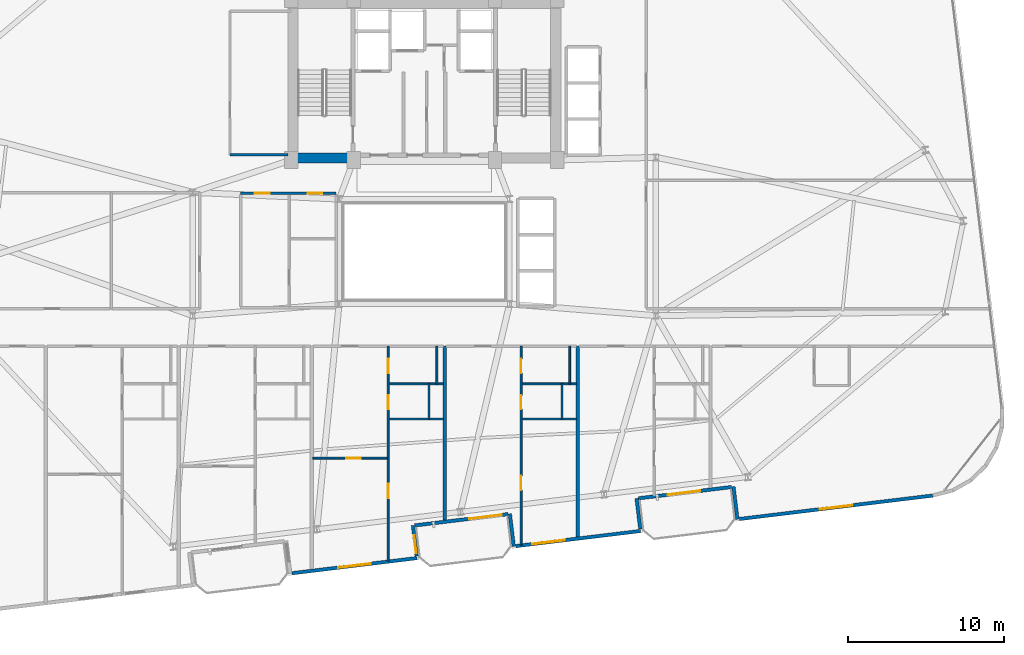
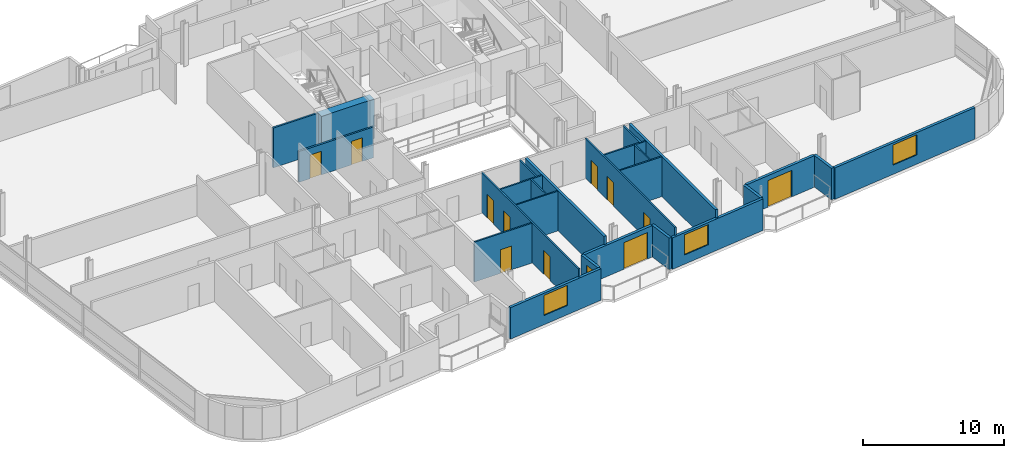
# One storey, part 16 of 24: 25 walls, 11 doors, 4 windows, 15 openings.
"""IFC4 building model written with IfcOpenShell, lengths in metres."""

from ifc_helpers import new_model, si_unit, direction, frame, frame_2d, origin, place, context, subcontext, project, spatial, rectangle, extrude, material, layer, layer_set, type_object, element, fill, save


model = new_model("IFC4")

# Units and contexts
model_context = context("Model", 3, precision=1e-05, world=origin(), true_north=direction((0.0, 1.0)))
body_context = subcontext(model_context, "Body", "Model", "MODEL_VIEW")
ifc_project = project(units=[si_unit("LENGTHUNIT", "METRE"), si_unit("AREAUNIT", "SQUARE_METRE"), si_unit("VOLUMEUNIT", "CUBIC_METRE"), si_unit("PLANEANGLEUNIT", "RADIAN"), si_unit("MASSUNIT", "GRAM", prefix="KILO")], contexts=[model_context])

# Site, building, storey
site_placement = place(None, origin())
site = spatial("IfcSite", under=ifc_project, at=site_placement, CompositionType="ELEMENT")
building_placement = place(site_placement, origin())
building = spatial("IfcBuilding", under=site, at=building_placement, Name="Varnelok Gate Tower", CompositionType="ELEMENT")
storey_placement = place(building_placement, frame((0.0, 0.0, 196.800048828125)))
storey = spatial("IfcBuildingStorey", under=building, at=storey_placement, Name="L50", CompositionType="ELEMENT", Elevation=196.800048828125)

# Wall, opening, door
ifc_material_1 = material(Name="Concrete C45/55", Category="concrete")
ifc_layer_1 = layer(ifc_material_1, 0.219970703125)
ifc_layer_set_1 = layer_set([ifc_layer_1], Name="Concrete C45/55")
wall_type_1 = type_object("IfcWallType", Name="EW-BALC-220", PredefinedType="SOLIDWALL", material=ifc_layer_set_1)
wall_1_placement = place(storey_placement, frame((44.5478515625, 6.114013671875, 0.0), z_axis=(0.0, 0.0, 1.0), x_axis=(-0.992735402148, -0.120318000826, 0.0)))
wall_1 = element("IfcWall", 1, at=wall_1_placement, inside=storey, type_object=wall_type_1, Name="L50 South Terrace Envelope Wall 2", PredefinedType="SOLIDWALL", context=body_context, shape_type="SweptSolid", body=[
    extrude(rectangle(XDim=6.000244140625, YDim=0.219970703125, at=frame_2d((3.0, 0.0))), origin(), (0.0, 0.0, 1.0), 2.72998046875),
])
opening_1_placement = place(wall_1_placement, frame((0.39990234375, 0.0, 0.0)))
opening_1 = element("IfcOpeningElement", 2, at=opening_1_placement, cuts=wall_1, Name="Opening BD-2", PredefinedType="OPENING", context=body_context, shape_type="SweptSolid", body=[
    extrude(rectangle(XDim=2.10009765625, YDim=2.300048828125, at=frame_2d((1.050048828125, 1.14990234375))), frame((0.0, 0.119873046875, 0.0), z_axis=(0.0, -1.0, 0.0), x_axis=(1.0, 0.0, 0.0)), (0.0, 0.0, 1.0), 0.239990234375),
])
ifc_material_2 = material(Name="Anodized Aluminum Alloy 6063-T6", Category="aluminium")
door_type_1 = type_object("IfcDoorType", Name="DR-EXT-SLID2100", OperationType="SLIDING_TO_LEFT", PredefinedType="DOOR", material=ifc_material_2)
door_1_placement = place(opening_1_placement, origin())
door_1 = element("IfcDoor", 3, at=door_1_placement, inside=storey, type_object=door_type_1, Name="L50 South Balcony Glazed Door 2", OperationType="SLIDING_TO_LEFT", OverallHeight=2.300048828125, OverallWidth=2.10009765625, PredefinedType="DOOR", context=body_context, shape_type="SweptSolid", body=[
    extrude(rectangle(XDim=2.10009765625, YDim=2.300048828125, at=frame_2d((1.050048828125, 1.14990234375))), frame((0.0, 0.02490234375, 0.0), z_axis=(0.0, -1.0, 0.0), x_axis=(1.0, 0.0, 0.0)), (0.0, 0.0, 1.0), 0.050048828125),
])
fill(opening_1, door_1)

wall_2_placement = place(storey_placement, frame((58.843017578125, 7.84716796875, 0.0), z_axis=(0.0, 0.0, 1.0), x_axis=(-0.992729951822, -0.120362962556, 0.0)))
wall_2 = element("IfcWall", 4, at=wall_2_placement, inside=storey, type_object=wall_type_1, Name="L50 South Terrace Envelope Wall 3", PredefinedType="SOLIDWALL", context=body_context, shape_type="SweptSolid", body=[
    extrude(rectangle(XDim=6.0, YDim=0.219970703125, at=frame_2d((3.0, 0.0))), origin(), (0.0, 0.0, 1.0), 2.72998046875),
])
opening_2_placement = place(wall_2_placement, frame((2.011962890625, 0.0, 0.0)))
opening_2 = element("IfcOpeningElement", 5, at=opening_2_placement, cuts=wall_2, Name="Opening BD-2", PredefinedType="OPENING", context=body_context, shape_type="SweptSolid", body=[
    extrude(rectangle(XDim=2.10009765625, YDim=2.300048828125, at=frame_2d((1.050048828125, 1.14990234375))), frame((0.0, 0.119873046875, 0.0), z_axis=(0.0, -1.0, 0.0), x_axis=(1.0, 0.0, 0.0)), (0.0, 0.0, 1.0), 0.239990234375),
])
door_2_placement = place(opening_2_placement, origin())
door_2 = element("IfcDoor", 6, at=door_2_placement, inside=storey, type_object=door_type_1, Name="L50 South Balcony Glazed Door 3", OperationType="SLIDING_TO_LEFT", OverallHeight=2.300048828125, OverallWidth=2.10009765625, PredefinedType="DOOR", context=body_context, shape_type="SweptSolid", body=[
    extrude(rectangle(XDim=2.10009765625, YDim=2.300048828125, at=frame_2d((1.050048828125, 1.14990234375))), frame((0.0, 0.02490234375, 0.0), z_axis=(0.0, -1.0, 0.0), x_axis=(1.0, 0.0, 0.0)), (0.0, 0.0, 1.0), 0.050048828125),
])
fill(opening_2, door_2)

# Wall, opening, window
wall_3_placement = place(storey_placement, frame((30.747314453125, 2.335693359375, 0.0), z_axis=(0.0, 0.0, 1.0), x_axis=(0.992731032022, 0.120354052946, 0.0)))
wall_3 = element("IfcWall", 7, at=wall_3_placement, inside=storey, type_object=wall_type_1, Name="L50 Perimeter Facade Closure Wall 10", PredefinedType="SOLIDWALL", context=body_context, shape_type="SweptSolid", body=[
    extrude(rectangle(XDim=8.034912109375, YDim=0.219970703125, at=frame_2d((4.017578125, 0.0))), origin(), (0.0, 0.0, 1.0), 2.72998046875),
])
opening_3_placement = place(wall_3_placement, frame((2.967529296875, 0.0, 0.800048828125)))
opening_3 = element("IfcOpeningElement", 8, at=opening_3_placement, cuts=wall_3, Name="Opening WN4", PredefinedType="OPENING", context=body_context, shape_type="SweptSolid", body=[
    extrude(rectangle(XDim=2.10009765625, YDim=1.75, at=frame_2d((1.050048828125, 0.875))), frame((0.0, 0.119873046875, 0.0), z_axis=(0.0, -1.0, 0.0), x_axis=(1.0, 0.0, 0.0)), (0.0, 0.0, 1.0), 0.239990234375),
])
ifc_material_3 = material(Name="Low-E Laminated Double Glazing IGU", Category="glass")
window_type_1 = type_object("IfcWindowType", Name="WN-SUI-2100", PartitioningType="SINGLE_PANEL", PredefinedType="WINDOW", material=ifc_material_3)
window_1_placement = place(opening_3_placement, origin())
window_1 = element("IfcWindow", 9, at=window_1_placement, inside=storey, type_object=window_type_1, Name="L50 Perimeter Vision Window 10", OverallHeight=1.75, OverallWidth=2.10009765625, PartitioningType="SINGLE_PANEL", PredefinedType="WINDOW", context=body_context, shape_type="SweptSolid", body=[
    extrude(rectangle(XDim=2.10009765625, YDim=1.75, at=frame_2d((1.050048828125, 0.875))), frame((0.0, 0.030029296875, 0.0), z_axis=(0.0, -1.0, 0.0), x_axis=(1.0, 0.0, 0.0)), (0.0, 0.0, 1.0), 0.06005859375),
])
fill(opening_3, window_1)

wall_4_placement = place(storey_placement, frame((38.708740234375, 3.427001953125, 0.0), z_axis=(0.0, 0.0, 1.0), x_axis=(-0.120397815541, 0.992725725472, 0.0)))
wall_4 = element("IfcWall", 10, at=wall_4_placement, inside=storey, type_object=wall_type_1, Name="L50 Perimeter Facade Closure Wall 11", PredefinedType="SOLIDWALL", context=body_context, shape_type="SweptSolid", body=[
    extrude(rectangle(XDim=1.97509765625, YDim=0.219970703125, at=frame_2d((0.987548828125, 0.0))), origin(), (0.0, 0.0, 1.0), 2.72998046875),
])
opening_4_placement = place(wall_4_placement, frame((0.199951171875, 0.0, 0.800048828125)))
opening_4 = element("IfcOpeningElement", 11, at=opening_4_placement, cuts=wall_4, Name="Opening WN8", PredefinedType="OPENING", context=body_context, shape_type="SweptSolid", body=[
    extrude(rectangle(XDim=1.14990234375, YDim=1.39990234375, at=frame_2d((0.574951171875, 0.699951171875))), frame((0.0, 0.119873046875, 0.0), z_axis=(0.0, -1.0, 0.0), x_axis=(1.0, 0.0, 0.0)), (0.0, 0.0, 1.0), 0.239990234375),
])
window_type_2 = type_object("IfcWindowType", Name="WN-BED-1150", PartitioningType="SINGLE_PANEL", PredefinedType="WINDOW", material=ifc_material_3)
window_2_placement = place(opening_4_placement, origin())
window_2 = element("IfcWindow", 12, at=window_2_placement, inside=storey, type_object=window_type_2, Name="L50 Bedroom Vision Window 36", OverallHeight=1.39990234375, OverallWidth=1.14990234375, PartitioningType="SINGLE_PANEL", PredefinedType="WINDOW", context=body_context, shape_type="SweptSolid", body=[
    extrude(rectangle(XDim=1.14990234375, YDim=1.39990234375, at=frame_2d((0.574951171875, 0.699951171875))), frame((0.0, 0.030029296875, 0.0), z_axis=(0.0, -1.0, 0.0), x_axis=(1.0, 0.0, 0.0)), (0.0, 0.0, 1.0), 0.06005859375),
])
fill(opening_4, window_2)

# Wall
wall_5_placement = place(storey_placement, frame((44.665771484375, 6.138427734375, 0.0), z_axis=(0.0, 0.0, 1.0), x_axis=(0.120327895535, -0.992734202874, 0.0)))
element("IfcWall", 13, at=wall_5_placement, inside=storey, type_object=wall_type_1, Name="L50 Perimeter Facade Closure Wall 12", PredefinedType="SOLIDWALL", context=body_context, shape_type="SweptSolid", body=[
    extrude(rectangle(XDim=2.099853515625, YDim=0.219970703125, at=frame_2d((1.0498046875, 0.0))), origin(), (0.0, 0.0, 1.0), 2.72998046875),
])

# Wall, opening, window
wall_6_placement = place(storey_placement, frame((45.04248046875, 4.06884765625, 0.0), z_axis=(0.0, 0.0, 1.0), x_axis=(0.992731032022, 0.120354052946, 0.0)))
wall_6 = element("IfcWall", 14, at=wall_6_placement, inside=storey, type_object=wall_type_1, Name="L50 Perimeter Facade Closure Wall 13", PredefinedType="SOLIDWALL", context=body_context, shape_type="SweptSolid", body=[
    extrude(rectangle(XDim=8.034912109375, YDim=0.219970703125, at=frame_2d((4.017578125, 0.0))), origin(), (0.0, 0.0, 1.0), 2.72998046875),
])
opening_5_placement = place(wall_6_placement, frame((1.068359375, 0.0, 0.800048828125)))
opening_5 = element("IfcOpeningElement", 15, at=opening_5_placement, cuts=wall_6, Name="Opening WN4", PredefinedType="OPENING", context=body_context, shape_type="SweptSolid", body=[
    extrude(rectangle(XDim=2.10009765625, YDim=1.75, at=frame_2d((1.050048828125, 0.875))), frame((0.0, 0.119873046875, 0.0), z_axis=(0.0, -1.0, 0.0), x_axis=(1.0, 0.0, 0.0)), (0.0, 0.0, 1.0), 0.239990234375),
])
window_3_placement = place(opening_5_placement, origin())
window_3 = element("IfcWindow", 16, at=window_3_placement, inside=storey, type_object=window_type_1, Name="L50 Perimeter Vision Window 13", OverallHeight=1.75, OverallWidth=2.10009765625, PartitioningType="SINGLE_PANEL", PredefinedType="WINDOW", context=body_context, shape_type="SweptSolid", body=[
    extrude(rectangle(XDim=2.10009765625, YDim=1.75, at=frame_2d((1.050048828125, 0.875))), frame((0.0, 0.030029296875, 0.0), z_axis=(0.0, -1.0, 0.0), x_axis=(1.0, 0.0, 0.0)), (0.0, 0.0, 1.0), 0.06005859375),
])
fill(opening_5, window_3)

# Walls
wall_7_placement = place(storey_placement, frame((53.004150390625, 5.159912109375, 0.0), z_axis=(0.0, 0.0, 1.0), x_axis=(-0.120397815541, 0.992725725472, 0.0)))
element("IfcWall", 17, at=wall_7_placement, inside=storey, type_object=wall_type_1, Name="L50 Perimeter Facade Closure Wall 14", PredefinedType="SOLIDWALL", context=body_context, shape_type="SweptSolid", body=[
    extrude(rectangle(XDim=1.97509765625, YDim=0.219970703125, at=frame_2d((0.987548828125, 0.0))), origin(), (0.0, 0.0, 1.0), 2.72998046875),
])
wall_8_placement = place(storey_placement, frame((58.961181640625, 7.87158203125, 0.0), z_axis=(0.0, 0.0, 1.0), x_axis=(0.120327895535, -0.992734202874, 0.0)))
element("IfcWall", 18, at=wall_8_placement, inside=storey, type_object=wall_type_1, Name="L50 Perimeter Facade Closure Wall 15", PredefinedType="SOLIDWALL", context=body_context, shape_type="SweptSolid", body=[
    extrude(rectangle(XDim=2.099853515625, YDim=0.219970703125, at=frame_2d((1.0498046875, 0.0))), origin(), (0.0, 0.0, 1.0), 2.72998046875),
])

# Wall, opening, window
wall_9_placement = place(storey_placement, frame((59.337890625, 5.8017578125, 0.0), z_axis=(0.0, 0.0, 1.0), x_axis=(0.992731225757, 0.120352454927, 0.0)))
wall_9 = element("IfcWall", 19, at=wall_9_placement, inside=storey, type_object=wall_type_1, Name="L50 Perimeter Facade Closure Wall 16", PredefinedType="SOLIDWALL", context=body_context, shape_type="SweptSolid", body=[
    extrude(rectangle(XDim=12.447265625, YDim=0.219970703125, at=frame_2d((6.2236328125, 0.0))), origin(), (0.0, 0.0, 1.0), 2.72998046875),
])
opening_6_placement = place(wall_9_placement, frame((5.173583984375, 0.0, 0.800048828125)))
opening_6 = element("IfcOpeningElement", 20, at=opening_6_placement, cuts=wall_9, Name="Opening WN4", PredefinedType="OPENING", context=body_context, shape_type="SweptSolid", body=[
    extrude(rectangle(XDim=2.10009765625, YDim=1.75, at=frame_2d((1.050048828125, 0.875))), frame((0.0, 0.119873046875, 0.0), z_axis=(0.0, -1.0, 0.0), x_axis=(1.0, 0.0, 0.0)), (0.0, 0.0, 1.0), 0.239990234375),
])
window_4_placement = place(opening_6_placement, origin())
window_4 = element("IfcWindow", 21, at=window_4_placement, inside=storey, type_object=window_type_1, Name="L50 Perimeter Vision Window 16", OverallHeight=1.75, OverallWidth=2.10009765625, PartitioningType="SINGLE_PANEL", PredefinedType="WINDOW", context=body_context, shape_type="SweptSolid", body=[
    extrude(rectangle(XDim=2.10009765625, YDim=1.75, at=frame_2d((1.050048828125, 0.875))), frame((0.0, 0.030029296875, 0.0), z_axis=(0.0, -1.0, 0.0), x_axis=(1.0, 0.0, 0.0)), (0.0, 0.0, 1.0), 0.06005859375),
])
fill(opening_6, window_4)

# Walls
ifc_material_4 = material(Name="Gypsum Plasterboard Acoustic Partition", Category="gypsum")
ifc_layer_2 = layer(ifc_material_4, 0.114990234375)
ifc_layer_set_2 = layer_set([ifc_layer_2], Name="Gypsum Plasterboard Acoustic Partition")
wall_type_2 = type_object("IfcWallType", Name="PW-ENS-125", PredefinedType="PARTITIONING", material=ifc_layer_set_2)
wall_10_placement = place(storey_placement, frame((36.955078125, 12.199951171875, 0.0), z_axis=(0.0, 0.0, 1.0), x_axis=(1.0, 0.0, 0.0)))
element("IfcWall", 22, at=wall_10_placement, inside=storey, type_object=wall_type_2, Name="Interior Partition", PredefinedType="PARTITIONING", context=body_context, shape_type="SweptSolid", body=[
    extrude(rectangle(XDim=3.46484375, YDim=0.114990234375, at=frame_2d((1.732421875, 0.0))), origin(), (0.0, 0.0, 1.0), 3.449951171875),
])
wall_11_placement = place(storey_placement, frame((39.4951171875, 12.199951171875, 0.0), z_axis=(0.0, 0.0, 1.0), x_axis=(0.0, 1.0, 0.0)))
element("IfcWall", 23, at=wall_11_placement, inside=storey, type_object=wall_type_2, Name="Interior Partition", PredefinedType="PARTITIONING", context=body_context, shape_type="SweptSolid", body=[
    extrude(rectangle(XDim=2.239990234375, YDim=0.114990234375, at=frame_2d((1.1201171875, 0.0))), origin(), (0.0, 0.0, 1.0), 3.449951171875),
])
wall_12_placement = place(storey_placement, frame((45.455078125, 12.199951171875, 0.0), z_axis=(0.0, 0.0, 1.0), x_axis=(1.0, 0.0, 0.0)))
element("IfcWall", 24, at=wall_12_placement, inside=storey, type_object=wall_type_2, Name="Interior Partition", PredefinedType="PARTITIONING", context=body_context, shape_type="SweptSolid", body=[
    extrude(rectangle(XDim=3.46484375, YDim=0.114990234375, at=frame_2d((1.732421875, 0.0))), origin(), (0.0, 0.0, 1.0), 3.449951171875),
])
wall_13_placement = place(storey_placement, frame((47.9951171875, 12.199951171875, 0.0), z_axis=(0.0, 0.0, 1.0), x_axis=(0.0, 1.0, 0.0)))
element("IfcWall", 25, at=wall_13_placement, inside=storey, type_object=wall_type_2, Name="Interior Partition", PredefinedType="PARTITIONING", context=body_context, shape_type="SweptSolid", body=[
    extrude(rectangle(XDim=2.239990234375, YDim=0.114990234375, at=frame_2d((1.1201171875, 0.0))), origin(), (0.0, 0.0, 1.0), 3.449951171875),
])

# Wall, opening, door
ifc_layer_3 = layer(ifc_material_4, 0.125)
ifc_layer_set_3 = layer_set([ifc_layer_3], Name="Gypsum Plasterboard Acoustic Partition")
wall_type_3 = type_object("IfcWallType", Name="PW-PART-125", PredefinedType="PARTITIONING", material=ifc_layer_set_3)
wall_14_placement = place(storey_placement, frame((32.080078125, 9.69384765625, 0.0), z_axis=(0.0, 0.0, 1.0), x_axis=(1.0, 0.0, 0.0)))
wall_14 = element("IfcWall", 26, at=wall_14_placement, inside=storey, type_object=wall_type_3, Name="Interior Partition", PredefinedType="PARTITIONING", context=body_context, shape_type="SweptSolid", body=[
    extrude(rectangle(XDim=4.735107421875, YDim=0.125, at=frame_2d((2.36767578125, 0.0))), origin(), (0.0, 0.0, 1.0), 3.449951171875),
])
opening_7_placement = place(wall_14_placement, frame((2.130859375, 0.0, 0.0)))
opening_7 = element("IfcOpeningElement", 27, at=opening_7_placement, cuts=wall_14, Name="Opening D-I3", PredefinedType="OPENING", context=body_context, shape_type="SweptSolid", body=[
    extrude(rectangle(XDim=0.919921875, YDim=2.050048828125, at=frame_2d((0.4599609375, 1.02490234375))), frame((0.0, 0.072509765625, 0.0), z_axis=(0.0, -1.0, 0.0), x_axis=(1.0, 0.0, 0.0)), (0.0, 0.0, 1.0), 0.14501953125),
])
ifc_material_5 = material(Name="Engineered Hardwood Timber", Category="wood")
door_type_2 = type_object("IfcDoorType", Name="DR-INT-920", OperationType="NOTDEFINED", PredefinedType="DOOR", material=ifc_material_5)
door_3_placement = place(opening_7_placement, origin())
door_3 = element("IfcDoor", 28, at=door_3_placement, inside=storey, type_object=door_type_2, Name="L50 Apartment 4 Study Door", OperationType="SINGLE_SWING_LEFT", OverallHeight=2.050048828125, OverallWidth=0.919921875, PredefinedType="DOOR", context=body_context, shape_type="SweptSolid", body=[
    extrude(rectangle(XDim=0.919921875, YDim=2.050048828125, at=frame_2d((0.4599609375, 1.02490234375))), frame((0.0, 0.02490234375, 0.0), z_axis=(0.0, -1.0, 0.0), x_axis=(1.0, 0.0, 0.0)), (0.0, 0.0, 1.0), 0.050048828125),
])
fill(opening_7, door_3)

# Wall, openings, doors
wall_15_placement = place(storey_placement, frame((36.88525390625, 3.10009765625, 0.0), z_axis=(0.0, 0.0, 1.0), x_axis=(0.0, 1.0, 0.0)))
wall_15 = element("IfcWall", 29, at=wall_15_placement, inside=storey, type_object=wall_type_3, Name="Interior Partition", PredefinedType="PARTITIONING", context=body_context, shape_type="SweptSolid", body=[
    extrude(rectangle(XDim=13.75, YDim=0.125, at=frame_2d((6.875, 0.0))), origin(), (0.0, 0.0, 1.0), 3.449951171875),
])
opening_8_placement = place(wall_15_placement, frame((4.030029296875, 0.0, 0.0)))
opening_8 = element("IfcOpeningElement", 30, at=opening_8_placement, cuts=wall_15, Name="Opening D-I3", PredefinedType="OPENING", context=body_context, shape_type="SweptSolid", body=[
    extrude(rectangle(XDim=0.919921875, YDim=2.050048828125, at=frame_2d((0.4599609375, 1.02490234375))), frame((0.0, 0.072509765625, 0.0), z_axis=(0.0, -1.0, 0.0), x_axis=(1.0, 0.0, 0.0)), (0.0, 0.0, 1.0), 0.14501953125),
])
opening_9_placement = place(wall_15_placement, frame((9.727294921875, 0.0, 0.0)))
opening_9 = element("IfcOpeningElement", 31, at=opening_9_placement, cuts=wall_15, Name="Opening D-WC", PredefinedType="OPENING", context=body_context, shape_type="SweptSolid", body=[
    extrude(rectangle(XDim=0.89990234375, YDim=2.050048828125, at=frame_2d((0.449951171875, 1.02490234375))), frame((0.0, 0.072509765625, 0.0), z_axis=(0.0, -1.0, 0.0), x_axis=(1.0, 0.0, 0.0)), (0.0, 0.0, 1.0), 0.14501953125),
])
opening_10_placement = place(wall_15_placement, frame((12.02001953125, 0.0, 0.0)))
opening_10 = element("IfcOpeningElement", 32, at=opening_10_placement, cuts=wall_15, Name="Opening D-I3", PredefinedType="OPENING", context=body_context, shape_type="SweptSolid", body=[
    extrude(rectangle(XDim=0.919921875, YDim=2.050048828125, at=frame_2d((0.4599609375, 1.02490234375))), frame((0.0, 0.072509765625, 0.0), z_axis=(0.0, -1.0, 0.0), x_axis=(1.0, 0.0, 0.0)), (0.0, 0.0, 1.0), 0.14501953125),
])
door_type_3 = type_object("IfcDoorType", Name="DR-BATH-900", OperationType="NOTDEFINED", PredefinedType="DOOR", material=ifc_material_5)
door_4_placement = place(opening_9_placement, origin())
door_4 = element("IfcDoor", 33, at=door_4_placement, inside=storey, type_object=door_type_3, Name="L50 Apartment 4 Bathroom Door", OperationType="SINGLE_SWING_LEFT", OverallHeight=2.050048828125, OverallWidth=0.89990234375, PredefinedType="DOOR", context=body_context, shape_type="SweptSolid", body=[
    extrude(rectangle(XDim=0.89990234375, YDim=2.050048828125, at=frame_2d((0.449951171875, 1.02490234375))), frame((0.0, 0.02490234375, 0.0), z_axis=(0.0, -1.0, 0.0), x_axis=(1.0, 0.0, 0.0)), (0.0, 0.0, 1.0), 0.050048828125),
])
fill(opening_9, door_4)
door_5_placement = place(opening_8_placement, origin())
door_5 = element("IfcDoor", 34, at=door_5_placement, inside=storey, type_object=door_type_2, Name="L50 Apartment 4 Bedroom Door", OperationType="SINGLE_SWING_RIGHT", OverallHeight=2.050048828125, OverallWidth=0.919921875, PredefinedType="DOOR", context=body_context, shape_type="SweptSolid", body=[
    extrude(rectangle(XDim=0.919921875, YDim=2.050048828125, at=frame_2d((0.4599609375, 1.02490234375))), frame((0.0, 0.02490234375, 0.0), z_axis=(0.0, -1.0, 0.0), x_axis=(1.0, 0.0, 0.0)), (0.0, 0.0, 1.0), 0.050048828125),
])
fill(opening_8, door_5)
door_6_placement = place(opening_10_placement, origin())
door_6 = element("IfcDoor", 35, at=door_6_placement, inside=storey, type_object=door_type_2, Name="L50 Apartment 4 Kitchen Door", OperationType="SINGLE_SWING_RIGHT", OverallHeight=2.050048828125, OverallWidth=0.919921875, PredefinedType="DOOR", context=body_context, shape_type="SweptSolid", body=[
    extrude(rectangle(XDim=0.919921875, YDim=2.050048828125, at=frame_2d((0.4599609375, 1.02490234375))), frame((0.0, 0.02490234375, 0.0), z_axis=(0.0, -1.0, 0.0), x_axis=(1.0, 0.0, 0.0)), (0.0, 0.0, 1.0), 0.050048828125),
])
fill(opening_10, door_6)

# Walls
wall_16_placement = place(storey_placement, frame((36.955078125, 14.43994140625, 0.0), z_axis=(0.0, 0.0, 1.0), x_axis=(1.0, 0.0, 0.0)))
element("IfcWall", 36, at=wall_16_placement, inside=storey, type_object=wall_type_3, Name="Interior Partition", PredefinedType="PARTITIONING", context=body_context, shape_type="SweptSolid", body=[
    extrude(rectangle(XDim=3.46484375, YDim=0.125, at=frame_2d((1.732421875, 0.0))), origin(), (0.0, 0.0, 1.0), 3.449951171875),
])
wall_17_placement = place(storey_placement, frame((39.9951171875, 14.43994140625, 0.0), z_axis=(0.0, 0.0, 1.0), x_axis=(0.0, 1.0, 0.0)))
element("IfcWall", 37, at=wall_17_placement, inside=storey, type_object=wall_type_3, Name="Interior Partition", PredefinedType="PARTITIONING", context=body_context, shape_type="SweptSolid", body=[
    extrude(rectangle(XDim=2.41015625, YDim=0.125, at=frame_2d((1.205078125, 0.0))), origin(), (0.0, 0.0, 1.0), 3.449951171875),
])

# Wall, openings, doors
wall_18_placement = place(storey_placement, frame((45.38525390625, 4.130615234375, 0.0), z_axis=(0.0, 0.0, 1.0), x_axis=(0.0, 1.0, 0.0)))
wall_18 = element("IfcWall", 38, at=wall_18_placement, inside=storey, type_object=wall_type_3, Name="Interior Partition", PredefinedType="PARTITIONING", context=body_context, shape_type="SweptSolid", body=[
    extrude(rectangle(XDim=12.719482421875, YDim=0.125, at=frame_2d((6.35986328125, 0.0))), origin(), (0.0, 0.0, 1.0), 3.449951171875),
])
opening_11_placement = place(wall_18_placement, frame((3.5146484375, 0.0, 0.0)))
opening_11 = element("IfcOpeningElement", 39, at=opening_11_placement, cuts=wall_18, Name="Opening D-I3", PredefinedType="OPENING", context=body_context, shape_type="SweptSolid", body=[
    extrude(rectangle(XDim=0.919921875, YDim=2.050048828125, at=frame_2d((0.4599609375, 1.02490234375))), frame((0.0, 0.072509765625, 0.0), z_axis=(0.0, -1.0, 0.0), x_axis=(1.0, 0.0, 0.0)), (0.0, 0.0, 1.0), 0.14501953125),
])
opening_12_placement = place(wall_18_placement, frame((8.69677734375, 0.0, 0.0)))
opening_12 = element("IfcOpeningElement", 40, at=opening_12_placement, cuts=wall_18, Name="Opening D-WC", PredefinedType="OPENING", context=body_context, shape_type="SweptSolid", body=[
    extrude(rectangle(XDim=0.89990234375, YDim=2.050048828125, at=frame_2d((0.449951171875, 1.02490234375))), frame((0.0, 0.072509765625, 0.0), z_axis=(0.0, -1.0, 0.0), x_axis=(1.0, 0.0, 0.0)), (0.0, 0.0, 1.0), 0.14501953125),
])
opening_13_placement = place(wall_18_placement, frame((10.989501953125, 0.0, 0.0)))
opening_13 = element("IfcOpeningElement", 41, at=opening_13_placement, cuts=wall_18, Name="Opening D-I3", PredefinedType="OPENING", context=body_context, shape_type="SweptSolid", body=[
    extrude(rectangle(XDim=0.919921875, YDim=2.050048828125, at=frame_2d((0.4599609375, 1.02490234375))), frame((0.0, 0.072509765625, 0.0), z_axis=(0.0, -1.0, 0.0), x_axis=(1.0, 0.0, 0.0)), (0.0, 0.0, 1.0), 0.14501953125),
])
door_7_placement = place(opening_12_placement, origin())
door_7 = element("IfcDoor", 42, at=door_7_placement, inside=storey, type_object=door_type_3, Name="L50 Apartment 5 Bathroom Door", OperationType="SINGLE_SWING_LEFT", OverallHeight=2.050048828125, OverallWidth=0.89990234375, PredefinedType="DOOR", context=body_context, shape_type="SweptSolid", body=[
    extrude(rectangle(XDim=0.89990234375, YDim=2.050048828125, at=frame_2d((0.449951171875, 1.02490234375))), frame((0.0, 0.02490234375, 0.0), z_axis=(0.0, -1.0, 0.0), x_axis=(1.0, 0.0, 0.0)), (0.0, 0.0, 1.0), 0.050048828125),
])
fill(opening_12, door_7)
door_8_placement = place(opening_11_placement, origin())
door_8 = element("IfcDoor", 43, at=door_8_placement, inside=storey, type_object=door_type_2, Name="L50 Apartment 5 Bedroom Door", OperationType="SINGLE_SWING_RIGHT", OverallHeight=2.050048828125, OverallWidth=0.919921875, PredefinedType="DOOR", context=body_context, shape_type="SweptSolid", body=[
    extrude(rectangle(XDim=0.919921875, YDim=2.050048828125, at=frame_2d((0.4599609375, 1.02490234375))), frame((0.0, 0.02490234375, 0.0), z_axis=(0.0, -1.0, 0.0), x_axis=(1.0, 0.0, 0.0)), (0.0, 0.0, 1.0), 0.050048828125),
])
fill(opening_11, door_8)
door_9_placement = place(opening_13_placement, origin())
door_9 = element("IfcDoor", 44, at=door_9_placement, inside=storey, type_object=door_type_2, Name="L50 Apartment 5 Kitchen Door", OperationType="SINGLE_SWING_RIGHT", OverallHeight=2.050048828125, OverallWidth=0.919921875, PredefinedType="DOOR", context=body_context, shape_type="SweptSolid", body=[
    extrude(rectangle(XDim=0.919921875, YDim=2.050048828125, at=frame_2d((0.4599609375, 1.02490234375))), frame((0.0, 0.02490234375, 0.0), z_axis=(0.0, -1.0, 0.0), x_axis=(1.0, 0.0, 0.0)), (0.0, 0.0, 1.0), 0.050048828125),
])
fill(opening_13, door_9)

# Walls
wall_19_placement = place(storey_placement, frame((45.455078125, 14.43994140625, 0.0), z_axis=(0.0, 0.0, 1.0), x_axis=(1.0, 0.0, 0.0)))
element("IfcWall", 45, at=wall_19_placement, inside=storey, type_object=wall_type_3, Name="Interior Partition", PredefinedType="PARTITIONING", context=body_context, shape_type="SweptSolid", body=[
    extrude(rectangle(XDim=3.46484375, YDim=0.125, at=frame_2d((1.732421875, 0.0))), origin(), (0.0, 0.0, 1.0), 3.449951171875),
])
wall_20_placement = place(storey_placement, frame((48.4951171875, 14.43994140625, 0.0), z_axis=(0.0, 0.0, 1.0), x_axis=(0.0, 1.0, 0.0)))
element("IfcWall", 46, at=wall_20_placement, inside=storey, type_object=wall_type_3, Name="Interior Partition", PredefinedType="PARTITIONING", context=body_context, shape_type="SweptSolid", body=[
    extrude(rectangle(XDim=2.41015625, YDim=0.125, at=frame_2d((1.205078125, 0.0))), origin(), (0.0, 0.0, 1.0), 3.449951171875),
])

# Wall, openings, doors
ifc_layer_4 = layer(ifc_material_4, 0.14990234375)
ifc_layer_set_4 = layer_set([ifc_layer_4], Name="Gypsum Plasterboard Acoustic Partition")
wall_type_4 = type_object("IfcWallType", Name="PW-PART-150", PredefinedType="PARTITIONING", material=ifc_layer_set_4)
wall_21_placement = place(storey_placement, frame((27.4599609375, 26.6201171875, 0.0), z_axis=(0.0, 0.0, 1.0), x_axis=(1.0, 0.0, 0.0)))
wall_21 = element("IfcWall", 47, at=wall_21_placement, inside=storey, type_object=wall_type_4, Name="Interior Partition", PredefinedType="PARTITIONING", context=body_context, shape_type="SweptSolid", body=[
    extrude(rectangle(XDim=6.10009765625, YDim=0.14990234375, at=frame_2d((3.050048828125, 0.0))), origin(), (0.0, 0.0, 1.0), 2.661865234375),
])
opening_14_placement = place(wall_21_placement, frame((0.89990234375, 0.0, 0.0)))
opening_14 = element("IfcOpeningElement", 48, at=opening_14_placement, cuts=wall_21, Name="Opening D-I2", PredefinedType="OPENING", context=body_context, shape_type="SweptSolid", body=[
    extrude(rectangle(XDim=0.949951171875, YDim=2.050048828125, at=frame_2d((0.47509765625, 1.02490234375))), frame((0.0, 0.0849609375, 0.0), z_axis=(0.0, -1.0, 0.0), x_axis=(1.0, 0.0, 0.0)), (0.0, 0.0, 1.0), 0.169921875),
])
opening_15_placement = place(wall_21_placement, frame((4.302978515625, 0.0, 0.0)))
opening_15 = element("IfcOpeningElement", 49, at=opening_15_placement, cuts=wall_21, Name="Opening D-WC", PredefinedType="OPENING", context=body_context, shape_type="SweptSolid", body=[
    extrude(rectangle(XDim=0.89990234375, YDim=2.050048828125, at=frame_2d((0.449951171875, 1.02490234375))), frame((0.0, 0.0849609375, 0.0), z_axis=(0.0, -1.0, 0.0), x_axis=(1.0, 0.0, 0.0)), (0.0, 0.0, 1.0), 0.169921875),
])
door_10_placement = place(opening_15_placement, origin())
door_10 = element("IfcDoor", 50, at=door_10_placement, inside=storey, type_object=door_type_3, Name="L50 Accessible Floor WC Door", OperationType="SINGLE_SWING_LEFT", OverallHeight=2.050048828125, OverallWidth=0.89990234375, PredefinedType="DOOR", context=body_context, shape_type="SweptSolid", body=[
    extrude(rectangle(XDim=0.89990234375, YDim=2.050048828125, at=frame_2d((0.449951171875, 1.02490234375))), frame((0.0, 0.02490234375, 0.0), z_axis=(0.0, -1.0, 0.0), x_axis=(1.0, 0.0, 0.0)), (0.0, 0.0, 1.0), 0.050048828125),
])
fill(opening_15, door_10)
door_type_4 = type_object("IfcDoorType", Name="DR-INT-950", OperationType="NOTDEFINED", PredefinedType="DOOR", material=ifc_material_5)
door_11_placement = place(opening_14_placement, origin())
door_11 = element("IfcDoor", 51, at=door_11_placement, inside=storey, type_object=door_type_4, Name="L50 Children Playroom Door", OperationType="SINGLE_SWING_RIGHT", OverallHeight=2.050048828125, OverallWidth=0.949951171875, PredefinedType="DOOR", context=body_context, shape_type="SweptSolid", body=[
    extrude(rectangle(XDim=0.949951171875, YDim=2.050048828125, at=frame_2d((0.47509765625, 1.02490234375))), frame((0.0, 0.02490234375, 0.0), z_axis=(0.0, -1.0, 0.0), x_axis=(1.0, 0.0, 0.0)), (0.0, 0.0, 1.0), 0.050048828125),
])
fill(opening_14, door_11)

# Walls
wall_22_placement = place(storey_placement, frame((26.780029296875, 29.080078125, 0.0), z_axis=(0.0, 0.0, 1.0), x_axis=(1.0, 0.0, 0.0)))
element("IfcWall", 52, at=wall_22_placement, inside=storey, type_object=wall_type_4, Name="Interior Partition", PredefinedType="PARTITIONING", context=body_context, shape_type="SweptSolid", body=[
    extrude(rectangle(XDim=3.699951171875, YDim=0.14990234375, at=frame_2d((1.85009765625, 0.0))), origin(), (0.0, 0.0, 1.0), 3.449951171875),
])
ifc_layer_5 = layer(ifc_material_4, 0.205078125)
ifc_layer_set_5 = layer_set([ifc_layer_5], Name="Gypsum Plasterboard Acoustic Partition")
wall_type_5 = type_object("IfcWallType", Name="PW-PARTY-200", PredefinedType="PARTITIONING", material=ifc_layer_set_5)
wall_23_placement = place(storey_placement, frame((40.5, 5.65380859375, 0.0), z_axis=(0.0, 0.0, 1.0), x_axis=(0.0, 1.0, 0.0)))
element("IfcWall", 53, at=wall_23_placement, inside=storey, type_object=wall_type_5, Name="L50 South Party Wall 4", PredefinedType="PARTITIONING", context=body_context, shape_type="SweptSolid", body=[
    extrude(rectangle(XDim=11.1962890625, YDim=0.205078125, at=frame_2d((5.59814453125, 0.0))), origin(), (0.0, 0.0, 1.0), 3.449951171875),
])
wall_24_placement = place(storey_placement, frame((49.0, 4.568603515625, 0.0), z_axis=(0.0, 0.0, 1.0), x_axis=(0.0, 1.0, 0.0)))
element("IfcWall", 54, at=wall_24_placement, inside=storey, type_object=wall_type_5, Name="L50 South Party Wall 5", PredefinedType="PARTITIONING", context=body_context, shape_type="SweptSolid", body=[
    extrude(rectangle(XDim=12.281494140625, YDim=0.205078125, at=frame_2d((6.140625, 0.0))), origin(), (0.0, 0.0, 1.0), 3.449951171875),
])
ifc_material_6 = material(Name="Concrete C60/75", Category="concrete")
ifc_layer_6 = layer(ifc_material_6, 0.64990234375)
ifc_layer_set_6 = layer_set([ifc_layer_6], Name="Concrete C60/75")
wall_type_6 = type_object("IfcWallType", Name="SW-CORE-650", PredefinedType="SHEAR", material=ifc_layer_set_6)
wall_25_placement = place(storey_placement, frame((30.47998046875, 28.875, 0.0), z_axis=(0.0, 0.0, 1.0), x_axis=(1.0, 0.0, 0.0)))
element("IfcWall", 55, at=wall_25_placement, inside=storey, type_object=wall_type_6, Name="L50 Rear Core South-West Shear Wall", PredefinedType="SHEAR", context=body_context, shape_type="SweptSolid", body=[
    extrude(rectangle(XDim=4.320068359375, YDim=0.64990234375, at=frame_2d((2.16015625, 0.0))), origin(), (0.0, 0.0, 1.0), 3.449951171875),
])

save(model, "model.ifc")
